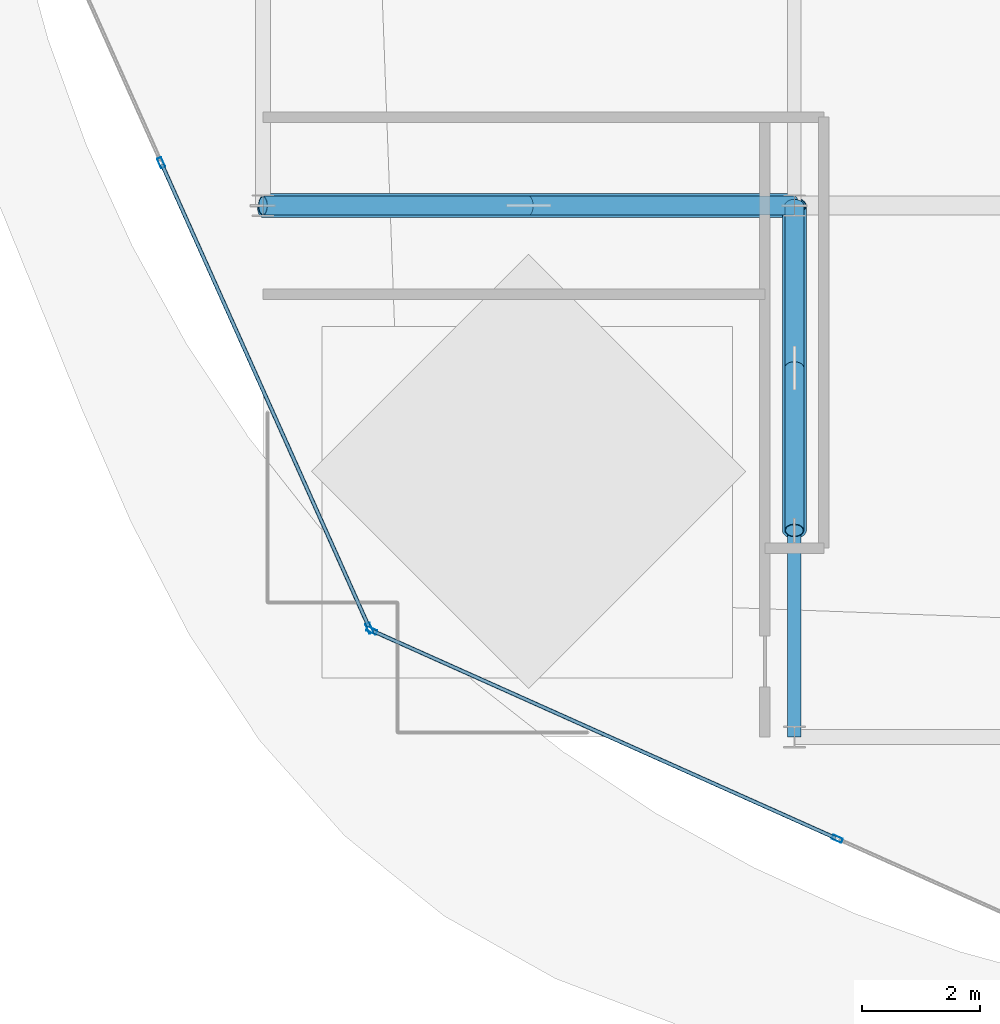
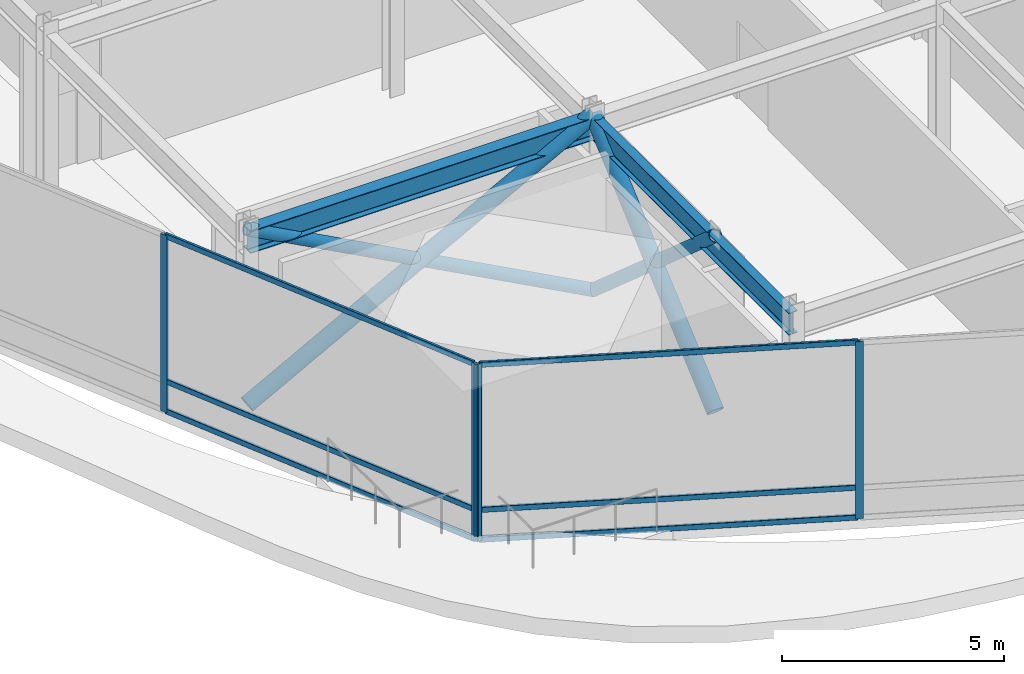
# One storey, part 2 of 21: 16 members, 2 beams, 2 elements without a shape of their own.
"""IFC4 building model written with IfcOpenShell, lengths in metres."""

from ifc_helpers import new_model, si_unit, direction, frame, origin, origin_2d, place, context, subcontext, project, spatial, hollow_rectangle, hollow_circle, i_section, extrude, material, layer, layer_set, material_profile, profile_set, type_object, element, aggregate, save


model = new_model("IFC4")

# Units and contexts
model_context = context("Model", 3, precision=1e-05, world=origin(), true_north=direction((0.0, 1.0)))
body_context = subcontext(model_context, "Body", "Model", "MODEL_VIEW")
ifc_project = project(units=[si_unit("LENGTHUNIT", "METRE"), si_unit("AREAUNIT", "SQUARE_METRE"), si_unit("VOLUMEUNIT", "CUBIC_METRE"), si_unit("PLANEANGLEUNIT", "RADIAN"), si_unit("MASSUNIT", "GRAM", prefix="KILO")], contexts=[model_context])

# Site, building, storey
site_placement = place(None, origin())
site = spatial("IfcSite", under=ifc_project, at=site_placement, CompositionType="ELEMENT")
building_placement = place(site_placement, origin())
building = spatial("IfcBuilding", under=site, at=building_placement, Name="Solvaryn Broadcast Tower", CompositionType="ELEMENT")
storey_placement = place(building_placement, frame((0.0, 0.0, 297.39990234375)))
storey = spatial("IfcBuildingStorey", under=building, at=storey_placement, Name="L75", CompositionType="ELEMENT", Elevation=297.39990234375)

# Beams
ifc_material_1 = material(Name="Steel ASTM A992 Grade 50", Category="steel")
ifc_material_profile_1 = material_profile(ifc_material_1, i_section(OverallWidth=0.323974609375, OverallDepth=0.611083984375, WebThickness=0.0126953125, FlangeThickness=0.01904296875, FilletRadius=0.014892578125, at=origin_2d()))
ifc_profile_set_1 = profile_set([ifc_material_profile_1], Name="Steel ASTM A992 Grade 50")
beam_type_1 = type_object("IfcBeamType", Name="BM-B1-W24X104", PredefinedType="BEAM", material=ifc_profile_set_1)
beam_1_placement = place(storey_placement, frame((9.0, 18.0, 4.564697265625), z_axis=(1.0, 0.0, 0.0), x_axis=(0.0, 1.0, 0.0)))
element("IfcBeam", 1, at=beam_1_placement, inside=storey, type_object=beam_type_1, Name="L75 Primary Beam X (9-18 @ Y=18)", PredefinedType="BEAM", context=body_context, shape_type="SweptSolid", body=[
    extrude(i_section(OverallWidth=0.323974609375, OverallDepth=0.611083984375, WebThickness=0.0126953125, FlangeThickness=0.01904296875, FilletRadius=0.014892578125, at=origin_2d()), origin(), (0.0, 0.0, 1.0), 9.0),
])
ifc_material_2 = material(Name="Steel ASTM A992 Grade 50", Category="steel")
ifc_material_profile_2 = material_profile(ifc_material_2, i_section(OverallWidth=0.22802734375, OverallDepth=0.60791015625, WebThickness=0.01123046875, FlangeThickness=0.017333984375, FilletRadius=0.014892578125, at=origin_2d()))
ifc_profile_set_2 = profile_set([ifc_material_profile_2], Name="Steel ASTM A992 Grade 50")
beam_type_2 = type_object("IfcBeamType", Name="BM-B2-W24X76", PredefinedType="BEAM", material=ifc_profile_set_2)
beam_2_placement = place(storey_placement, frame((18.0, 9.0, 4.566162109375), z_axis=(0.0, 1.0, 0.0), x_axis=(-1.0, 0.0, 0.0)))
element("IfcBeam", 2, at=beam_2_placement, inside=storey, type_object=beam_type_2, Name="L75 Primary Beam Y (9-18 @ X=18)", PredefinedType="BEAM", context=body_context, shape_type="SweptSolid", body=[
    extrude(i_section(OverallWidth=0.22802734375, OverallDepth=0.60791015625, WebThickness=0.01123046875, FlangeThickness=0.017333984375, FilletRadius=0.014892578125, at=origin_2d()), origin(), (0.0, 0.0, 1.0), 9.0),
])

# Curtain wall, members
ifc_material_3 = material(Name="Aluminium and Terracotta Unitised Curtain Wall", Category="masonry")
ifc_layer = layer(ifc_material_3, 0.260009765625)
ifc_layer_set = layer_set([ifc_layer], Name="CW-SYS5-DAMPER")
curtain_wall_type = type_object("IfcCurtainWallType", Name="CW-SYS5-DAMPER", PredefinedType="NOTDEFINED", material=ifc_layer_set)
curtain_wall_1_placement = place(storey_placement, origin())
curtain_wall_1 = element("IfcCurtainWall", 3, at=curtain_wall_1_placement, inside=storey, type_object=curtain_wall_type, Name="L75 Curtain Wall DR2", PredefinedType="NOTDEFINED")
ifc_material_4 = material(Name="Anodised Aluminium 6063-T6", Category="aluminium")
ifc_material_profile_3 = material_profile(ifc_material_4, hollow_rectangle(XDim=0.074951171875, YDim=0.179931640625, WallThickness=0.00390625, InnerFilletRadius=0.00390625, OuterFilletRadius=0.008056640625, at=origin_2d()))
ifc_profile_set_3 = profile_set([ifc_material_profile_3], Name="Anodised Aluminium 6063-T6")
member_type_1 = type_object("IfcMemberType", Name="CW-MUL-180", PredefinedType="MULLION", material=ifc_profile_set_3)
member_1_placement = place(storey_placement, frame((7.277587890625, 18.7265625, 0.0), z_axis=(0.0, 0.0, 1.0), x_axis=(0.912773530574, 0.408466010682, 0.0)))
member_1 = element("IfcMember", 4, at=member_1_placement, type_object=member_type_1, Name="CWS5 mullion 2", PredefinedType="MULLION", context=body_context, shape_type="SweptSolid", body=[
    extrude(hollow_rectangle(XDim=0.074951171875, YDim=0.179931640625, WallThickness=0.00390625, InnerFilletRadius=0.00390625, OuterFilletRadius=0.008056640625, at=origin_2d()), origin(), (0.0, 0.0, 1.0), 4.8701171875),
])
member_2_placement = place(storey_placement, frame((10.8046875, 10.844482421875, 0.0), z_axis=(0.0, 0.0, 1.0), x_axis=(0.912773530574, 0.408466010682, 0.0)))
member_2 = element("IfcMember", 5, at=member_2_placement, type_object=member_type_1, Name="CWS5 mullion 3", PredefinedType="MULLION", context=body_context, shape_type="SweptSolid", body=[
    extrude(hollow_rectangle(XDim=0.074951171875, YDim=0.179931640625, WallThickness=0.00390625, InnerFilletRadius=0.00390625, OuterFilletRadius=0.008056640625, at=origin_2d()), origin(), (0.0, 0.0, 1.0), 4.8701171875),
])

curtain_wall_2_placement = place(storey_placement, origin())
curtain_wall_2 = element("IfcCurtainWall", 6, at=curtain_wall_2_placement, inside=storey, type_object=curtain_wall_type, Name="L75 Curtain Wall DR3", PredefinedType="NOTDEFINED")
member_3_placement = place(storey_placement, frame((10.844482421875, 10.8046875, 0.0), z_axis=(0.0, 0.0, 1.0), x_axis=(0.408466010682, 0.912773530574, 0.0)))
member_3 = element("IfcMember", 7, at=member_3_placement, type_object=member_type_1, Name="CWS5 mullion 1", PredefinedType="MULLION", context=body_context, shape_type="SweptSolid", body=[
    extrude(hollow_rectangle(XDim=0.074951171875, YDim=0.179931640625, WallThickness=0.00390625, InnerFilletRadius=0.00390625, OuterFilletRadius=0.008056640625, at=origin_2d()), origin(), (0.0, 0.0, 1.0), 4.8701171875),
])
member_4_placement = place(storey_placement, frame((18.7265625, 7.277587890625, 0.0), z_axis=(0.0, 0.0, 1.0), x_axis=(0.408466010682, 0.912773530574, 0.0)))
member_4 = element("IfcMember", 8, at=member_4_placement, type_object=member_type_1, Name="CWS5 mullion 2", PredefinedType="MULLION", context=body_context, shape_type="SweptSolid", body=[
    extrude(hollow_rectangle(XDim=0.074951171875, YDim=0.179931640625, WallThickness=0.00390625, InnerFilletRadius=0.00390625, OuterFilletRadius=0.008056640625, at=origin_2d()), origin(), (0.0, 0.0, 1.0), 4.8701171875),
])

# Member
ifc_material_5 = material(Name="Anodised Aluminium 6063-T6", Category="aluminium")
ifc_material_profile_4 = material_profile(ifc_material_5, hollow_rectangle(XDim=0.06494140625, YDim=0.14990234375, WallThickness=0.00390625, InnerFilletRadius=0.00390625, OuterFilletRadius=0.008056640625, at=origin_2d()))
ifc_profile_set_4 = profile_set([ifc_material_profile_4], Name="Anodised Aluminium 6063-T6")
member_type_2 = type_object("IfcMemberType", Name="CW-TRN-150", PredefinedType="USERDEFINED", material=ifc_profile_set_4)
member_5_placement = place(storey_placement, frame((7.289794921875, 18.69921875, 0.030029296875), z_axis=(0.408459074172, -0.91277663463, 0.0), x_axis=(0.91277663463, 0.408459074172, 0.0)))
member_5 = element("IfcMember", 9, at=member_5_placement, type_object=member_type_2, Name="CWS5 transom 2.1", ObjectType="TRANSOM", PredefinedType="USERDEFINED", context=body_context, shape_type="SweptSolid", body=[
    extrude(hollow_rectangle(XDim=0.06494140625, YDim=0.14990234375, WallThickness=0.00390625, InnerFilletRadius=0.00390625, OuterFilletRadius=0.008056640625, at=origin_2d()), origin(), (0.0, 0.0, 1.0), 8.575439453125),
])

member_6_placement = place(storey_placement, frame((7.289794921875, 18.69921875, 0.85009765625), z_axis=(0.408459074172, -0.91277663463, 0.0), x_axis=(0.91277663463, 0.408459074172, 0.0)))
member_6 = element("IfcMember", 10, at=member_6_placement, type_object=member_type_2, Name="CWS5 transom 2.2", ObjectType="TRANSOM", PredefinedType="USERDEFINED", context=body_context, shape_type="SweptSolid", body=[
    extrude(hollow_rectangle(XDim=0.06494140625, YDim=0.14990234375, WallThickness=0.00390625, InnerFilletRadius=0.00390625, OuterFilletRadius=0.008056640625, at=origin_2d()), origin(), (0.0, 0.0, 1.0), 8.575439453125),
])

member_7_placement = place(storey_placement, frame((7.289794921875, 18.69921875, 4.840087890625), z_axis=(0.408459074172, -0.91277663463, 0.0), x_axis=(0.91277663463, 0.408459074172, 0.0)))
member_7 = element("IfcMember", 11, at=member_7_placement, type_object=member_type_2, Name="CWS5 transom 2.3", ObjectType="TRANSOM", PredefinedType="USERDEFINED", context=body_context, shape_type="SweptSolid", body=[
    extrude(hollow_rectangle(XDim=0.06494140625, YDim=0.14990234375, WallThickness=0.00390625, InnerFilletRadius=0.00390625, OuterFilletRadius=0.008056640625, at=origin_2d()), origin(), (0.0, 0.0, 1.0), 8.575439453125),
])

aggregate(curtain_wall_1, [member_1, member_2, member_5, member_6, member_7])

member_8_placement = place(storey_placement, frame((10.871826171875, 10.79248046875, 0.030029296875), z_axis=(0.91277663463, -0.408459074172, 0.0), x_axis=(0.408459074172, 0.91277663463, 0.0)))
member_8 = element("IfcMember", 12, at=member_8_placement, type_object=member_type_2, Name="CWS5 transom 1.1", ObjectType="TRANSOM", PredefinedType="USERDEFINED", context=body_context, shape_type="SweptSolid", body=[
    extrude(hollow_rectangle(XDim=0.06494140625, YDim=0.14990234375, WallThickness=0.00390625, InnerFilletRadius=0.00390625, OuterFilletRadius=0.008056640625, at=origin_2d()), origin(), (0.0, 0.0, 1.0), 8.575439453125),
])

member_9_placement = place(storey_placement, frame((10.871826171875, 10.79248046875, 0.85009765625), z_axis=(0.91277663463, -0.408459074172, 0.0), x_axis=(0.408459074172, 0.91277663463, 0.0)))
member_9 = element("IfcMember", 13, at=member_9_placement, type_object=member_type_2, Name="CWS5 transom 1.2", ObjectType="TRANSOM", PredefinedType="USERDEFINED", context=body_context, shape_type="SweptSolid", body=[
    extrude(hollow_rectangle(XDim=0.06494140625, YDim=0.14990234375, WallThickness=0.00390625, InnerFilletRadius=0.00390625, OuterFilletRadius=0.008056640625, at=origin_2d()), origin(), (0.0, 0.0, 1.0), 8.575439453125),
])

member_10_placement = place(storey_placement, frame((10.871826171875, 10.79248046875, 4.840087890625), z_axis=(0.91277663463, -0.408459074172, 0.0), x_axis=(0.408459074172, 0.91277663463, 0.0)))
member_10 = element("IfcMember", 14, at=member_10_placement, type_object=member_type_2, Name="CWS5 transom 1.3", ObjectType="TRANSOM", PredefinedType="USERDEFINED", context=body_context, shape_type="SweptSolid", body=[
    extrude(hollow_rectangle(XDim=0.06494140625, YDim=0.14990234375, WallThickness=0.00390625, InnerFilletRadius=0.00390625, OuterFilletRadius=0.008056640625, at=origin_2d()), origin(), (0.0, 0.0, 1.0), 8.575439453125),
])

aggregate(curtain_wall_2, [member_3, member_4, member_8, member_9, member_10])

# Members
ifc_material_6 = material(Name="Steel ASTM A500 Grade C", Category="steel")
ifc_material_profile_5 = material_profile(ifc_material_6, hollow_circle(Radius=0.203125, WallThickness=0.01611328125, at=origin_2d()))
ifc_profile_set_5 = profile_set([ifc_material_profile_5], Name="Steel ASTM A500 Grade C")
member_type_3 = type_object("IfcMemberType", Name="MB-TMD-BRACE", PredefinedType="BRACE", material=ifc_profile_set_5)
member_11_placement = place(storey_placement, frame((9.0, 18.0, 0.02001953125), z_axis=(0.881127233534, 0.0, 0.472879264004), x_axis=(0.0, 1.0, 0.0)))
element("IfcMember", 15, at=member_11_placement, inside=storey, type_object=member_type_3, Name="L75 TMD Reaction X-Frame EW Continuous Diagonal", PredefinedType="BRACE", context=body_context, shape_type="SweptSolid", body=[
    extrude(hollow_circle(Radius=0.203125, WallThickness=0.01611328125, at=origin_2d()), origin(), (0.0, 0.0, 1.0), 10.214111328125),
])
member_12_placement = place(storey_placement, frame((18.0, 12.5, 0.02001953125), z_axis=(0.0, 0.751385369165, 0.659863642736), x_axis=(-1.0, 0.0, 0.0)))
element("IfcMember", 16, at=member_12_placement, inside=storey, type_object=member_type_3, Name="L75 TMD Reaction X-Frame NS Continuous Diagonal", PredefinedType="BRACE", context=body_context, shape_type="SweptSolid", body=[
    extrude(hollow_circle(Radius=0.203125, WallThickness=0.01611328125, at=origin_2d()), origin(), (0.0, 0.0, 1.0), 7.31982421875),
])
ifc_material_7 = material(Name="Steel ASTM A500 Grade C", Category="steel")
ifc_material_profile_6 = material_profile(ifc_material_7, hollow_circle(Radius=0.161865234375, WallThickness=0.01416015625, at=origin_2d()))
ifc_profile_set_6 = profile_set([ifc_material_profile_6], Name="Steel ASTM A500 Grade C")
member_type_4 = type_object("IfcMemberType", Name="MB-TMD-STRUT", PredefinedType="STRUT", material=ifc_profile_set_6)
for number, where, z_axis, x_axis, name in (
    (17, (18.0, 18.0, 0.02001953125), (-0.881127233534, 0.0, 0.472879264004), (0.0, -1.0, 0.0), "L75 TMD Reaction X-Frame EW Split Diagonal Lower"),
    (18, (13.5, 18.0, 2.43505859375), (-0.881127233534, 0.0, 0.472879264004), (0.0, -1.0, 0.0), "L75 TMD Reaction X-Frame EW Split Diagonal Upper"),
):
    element("IfcMember", number, at=place(storey_placement, frame(where, z_axis=z_axis, x_axis=x_axis)), inside=storey, type_object=member_type_4, Name=name, PredefinedType="STRUT", context=body_context, shape_type="SweptSolid", body=[
        extrude(hollow_circle(Radius=0.161865234375, WallThickness=0.01416015625, at=origin_2d()), origin(), (0.0, 0.0, 1.0), 5.107177734375),
    ])
for number, where, z_axis, x_axis, name in (
    (19, (18.0, 18.0, 0.02001953125), (0.0, -0.751385369165, 0.659863642736), (1.0, 0.0, 0.0), "L75 TMD Reaction X-Frame NS Split Diagonal Lower"),
    (20, (18.0, 15.25, 2.43505859375), (0.0, -0.751385369165, 0.659863642736), (1.0, 0.0, 0.0), "L75 TMD Reaction X-Frame NS Split Diagonal Upper"),
):
    element("IfcMember", number, at=place(storey_placement, frame(where, z_axis=z_axis, x_axis=x_axis)), inside=storey, type_object=member_type_4, Name=name, PredefinedType="STRUT", context=body_context, shape_type="SweptSolid", body=[
        extrude(hollow_circle(Radius=0.161865234375, WallThickness=0.01416015625, at=origin_2d()), origin(), (0.0, 0.0, 1.0), 3.659912109375),
    ])

save(model, "model.ifc")
